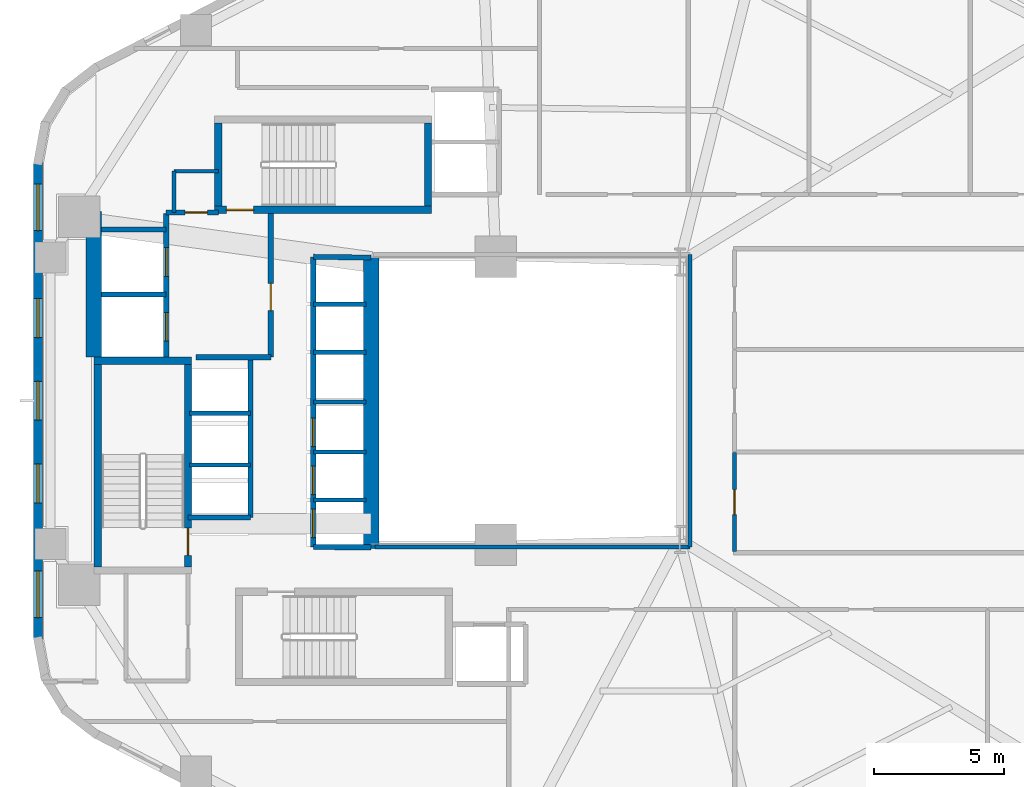
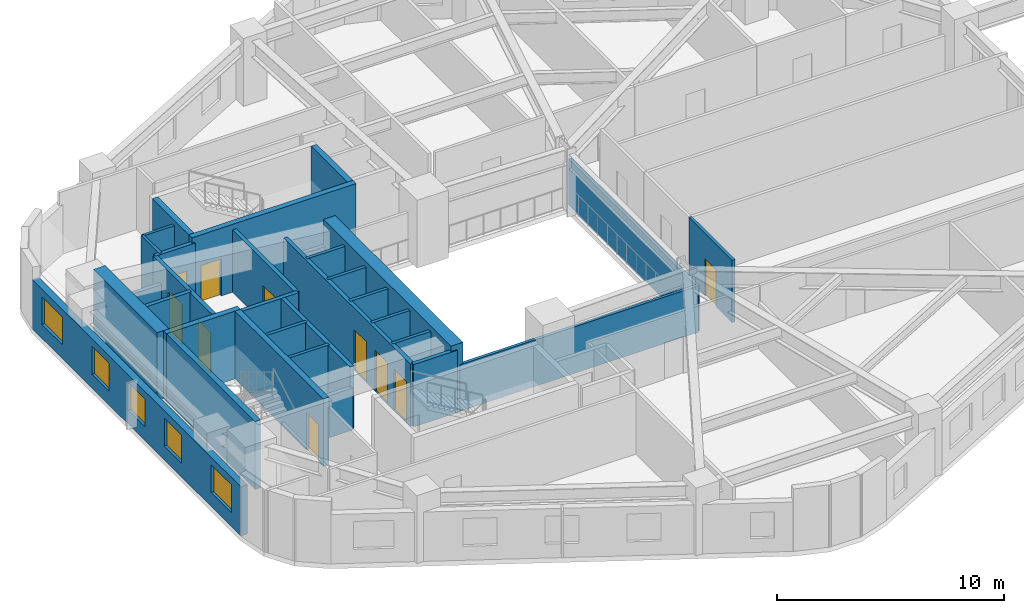
# One storey, part 3 of 7: 32 walls, 10 doors, 5 windows, 15 openings.
"""IFC4 building model written with IfcOpenShell, lengths in metres."""

from ifc_helpers import new_model, si_unit, direction, frame, frame_2d, origin, place, context, subcontext, project, spatial, rectangle, extrude, material, layer, layer_set, type_object, element, fill, save


model = new_model("IFC4")

# Units and contexts
model_context = context("Model", 3, precision=1e-05, world=origin(), true_north=direction((0.0, 1.0)))
body_context = subcontext(model_context, "Body", "Model", "MODEL_VIEW")
ifc_project = project(units=[si_unit("LENGTHUNIT", "METRE"), si_unit("AREAUNIT", "SQUARE_METRE"), si_unit("VOLUMEUNIT", "CUBIC_METRE"), si_unit("PLANEANGLEUNIT", "RADIAN"), si_unit("MASSUNIT", "GRAM", prefix="KILO"), si_unit("THERMODYNAMICTEMPERATUREUNIT", "KELVIN"), si_unit("POWERUNIT", "WATT")], contexts=[model_context])

# Site, building, storey
site_placement = place(None, origin())
site = spatial("IfcSite", under=ifc_project, at=site_placement, CompositionType="ELEMENT")
building_placement = place(site_placement, origin())
building = spatial("IfcBuilding", under=site, at=building_placement, Name="Skarre Station Tower", CompositionType="ELEMENT")
storey_placement = place(building_placement, frame((0.0, 0.0, 48.89990234375)))
storey = spatial("IfcBuildingStorey", under=building, at=storey_placement, Name="L12", CompositionType="ELEMENT", Elevation=48.89990234375)

# Walls
ifc_material_1 = material(Name="Acoustic Steel-Stud Gypsum Partition", Category="steel")
ifc_layer_1 = layer(ifc_material_1, 0.14990234375, Name="Acoustic Steel-Stud Gypsum Partition")
ifc_layer_set_1 = layer_set([ifc_layer_1], Name="Acoustic Steel-Stud Gypsum Partition")
wall_type_1 = type_object("IfcWallType", Name="Fire-Rated Corridor Acoustic Partition 150", PredefinedType="PARTITIONING", material=ifc_layer_set_1)
wall_1_placement = place(storey_placement, frame((19.949951171875, 32.85009765625, 0.0), z_axis=(0.0, 0.0, 1.0), x_axis=(0.0, -1.0, 0.0)))
element("IfcWall", 1, at=wall_1_placement, inside=storey, type_object=wall_type_1, Name="L12 Interior Partition WL-PT-L12-CNW-W", PredefinedType="PARTITIONING", context=body_context, shape_type="SweptSolid", body=[
    extrude(rectangle(XDim=1.590087890625, YDim=0.14990234375, at=frame_2d((0.794921875, 0.0))), origin(), (0.0, 0.0, 1.0), 3.360107421875),
])
wall_2_placement = place(storey_placement, frame((21.659912109375, 32.85009765625, 0.0), z_axis=(0.0, 0.0, 1.0), x_axis=(-1.0, 0.0, 0.0)))
element("IfcWall", 2, at=wall_2_placement, inside=storey, type_object=wall_type_1, Name="L12 Interior Partition WL-PT-L12-CNW-N1", PredefinedType="PARTITIONING", context=body_context, shape_type="SweptSolid", body=[
    extrude(rectangle(XDim=1.7099609375, YDim=0.14990234375, at=frame_2d((0.85498046875, 0.0))), origin(), (0.0, 0.0, 1.0), 3.360107421875),
])
wall_3_placement = place(storey_placement, frame((27.699951171875, 18.360107421875, 0.0), z_axis=(0.0, 0.0, 1.0), x_axis=(1.0, 0.0, 0.0)))
element("IfcWall", 3, at=wall_3_placement, inside=storey, type_object=wall_type_1, Name="L12 Interior Partition WL-PT-L12-ATRW-S", PredefinedType="PARTITIONING", context=body_context, shape_type="SweptSolid", body=[
    extrude(rectangle(XDim=12.14013671875, YDim=0.14990234375, at=frame_2d((6.070068359375, 0.0))), origin(), (0.0, 0.0, 1.0), 2.5009765625),
])
wall_4_placement = place(storey_placement, frame((39.840087890625, 18.360107421875, 0.0), z_axis=(0.0, 0.0, 1.0), x_axis=(0.0, 1.0, 0.0)))
element("IfcWall", 4, at=wall_4_placement, inside=storey, type_object=wall_type_1, Name="L12 Interior Partition WL-PT-L12-ATRW-E", PredefinedType="PARTITIONING", context=body_context, shape_type="SweptSolid", body=[
    extrude(rectangle(XDim=11.27978515625, YDim=0.14990234375, at=frame_2d((5.639892578125, 0.0))), origin(), (0.0, 0.0, 1.0), 2.483154296875),
])

# Wall, opening, door
wall_5_placement = place(storey_placement, frame((41.56005859375, 18.179931640625, 0.0), z_axis=(0.0, 0.0, 1.0), x_axis=(0.0, 1.0, 0.0)))
wall_5 = element("IfcWall", 5, at=wall_5_placement, inside=storey, type_object=wall_type_1, Name="L12 Interior Partition WL-PT-L12-EW1-CW", PredefinedType="PARTITIONING", context=body_context, shape_type="SweptSolid", body=[
    extrude(rectangle(XDim=3.822998046875, YDim=0.14990234375, at=frame_2d((1.91162109375, 0.0))), origin(), (0.0, 0.0, 1.0), 3.360107421875),
])
opening_1_placement = place(wall_5_placement, frame((1.431884765625, 0.0, 0.0)))
opening_1 = element("IfcOpeningElement", 6, at=opening_1_placement, cuts=wall_5, Name="Opening DR-FD60", PredefinedType="OPENING", context=body_context, shape_type="SweptSolid", body=[
    extrude(rectangle(XDim=0.9599609375, YDim=2.0, at=frame_2d((0.47998046875, 1.0))), frame((0.0, 0.0849609375, 0.0), z_axis=(0.0, -1.0, 0.0), x_axis=(1.0, 0.0, 0.0)), (0.0, 0.0, 1.0), 0.169921875),
])
ifc_material_2 = material(Name="Nordic White-Oak Veneer Solid-Core Fire Leaf", Category="wood")
door_type_1 = type_object("IfcDoorType", Name="Corridor Suite Entry Fire Door FD60 960x2150", OperationType="SINGLE_SWING_LEFT", PredefinedType="DOOR", material=ifc_material_2)
door_1_placement = place(opening_1_placement, origin())
door_1 = element("IfcDoor", 7, at=door_1_placement, inside=storey, type_object=door_type_1, Name="L12 EW1 Entry Door", OperationType="SINGLE_SWING_LEFT", OverallHeight=2.0, OverallWidth=0.9599609375, PredefinedType="DOOR", context=body_context, shape_type="SweptSolid", body=[
    extrude(rectangle(XDim=0.9599609375, YDim=2.0, at=frame_2d((0.47998046875, 1.0))), frame((0.0, 0.02490234375, 0.0), z_axis=(0.0, -1.0, 0.0), x_axis=(1.0, 0.0, 0.0)), (0.0, 0.0, 1.0), 0.050048828125),
])
fill(opening_1, door_1)

# Wall, openings, windows
ifc_material_3 = material(Name="Precast concrete C45/55", Category="concrete")
ifc_layer_2 = layer(ifc_material_3, 0.340087890625, Name="Precast concrete C45/55")
ifc_layer_set_2 = layer_set([ifc_layer_2], Name="Precast concrete C45/55")
wall_type_2 = type_object("IfcWallType", Name="Nordic Honed Precast Facet Wall 340", PredefinedType="STANDARD", material=ifc_layer_set_2)
wall_6_placement = place(storey_placement, frame((14.70703125, 14.798095703125, 0.0), z_axis=(0.0, 0.0, 1.0), x_axis=(0.0, 1.0, 0.0)))
wall_6 = element("IfcWall", 8, at=wall_6_placement, inside=storey, type_object=wall_type_2, Name="L12 Facet 2 Nordic Precast Masonry Wall", PredefinedType="STANDARD", context=body_context, shape_type="SweptSolid", body=[
    extrude(rectangle(XDim=18.40380859375, YDim=0.340087890625, at=frame_2d((9.201904296875, 0.0))), origin(), (0.0, 0.0, 1.0), 2.654052734375),
])
opening_2_placement = place(wall_6_placement, frame((0.844970703125, 0.0, 0.75)))
opening_2 = element("IfcOpeningElement", 9, at=opening_2_placement, cuts=wall_6, Name="Opening WN-Z1A", PredefinedType="OPENING", context=body_context, shape_type="SweptSolid", body=[
    extrude(rectangle(XDim=1.800048828125, YDim=1.5, at=frame_2d((0.89990234375, 0.75))), frame((0.0, 0.179931640625, 0.0), z_axis=(0.0, -1.0, 0.0), x_axis=(1.0, 0.0, 0.0)), (0.0, 0.0, 1.0), 0.360107421875),
])
opening_3_placement = place(wall_6_placement, frame((5.264892578125, 0.0, 0.75)))
opening_3 = element("IfcOpeningElement", 10, at=opening_3_placement, cuts=wall_6, Name="Opening WN-Z1B", PredefinedType="OPENING", context=body_context, shape_type="SweptSolid", body=[
    extrude(rectangle(XDim=1.5, YDim=1.5, at=frame_2d((0.75, 0.75))), frame((0.0, 0.179931640625, 0.0), z_axis=(0.0, -1.0, 0.0), x_axis=(1.0, 0.0, 0.0)), (0.0, 0.0, 1.0), 0.360107421875),
])
opening_4_placement = place(wall_6_placement, frame((8.451904296875, 0.0, 0.75)))
opening_4 = element("IfcOpeningElement", 11, at=opening_4_placement, cuts=wall_6, Name="Opening WN-Z1B", PredefinedType="OPENING", context=body_context, shape_type="SweptSolid", body=[
    extrude(rectangle(XDim=1.5, YDim=1.5, at=frame_2d((0.75, 0.75))), frame((0.0, 0.179931640625, 0.0), z_axis=(0.0, -1.0, 0.0), x_axis=(1.0, 0.0, 0.0)), (0.0, 0.0, 1.0), 0.360107421875),
])
opening_5_placement = place(wall_6_placement, frame((11.638916015625, 0.0, 0.75)))
opening_5 = element("IfcOpeningElement", 12, at=opening_5_placement, cuts=wall_6, Name="Opening WN-Z1B", PredefinedType="OPENING", context=body_context, shape_type="SweptSolid", body=[
    extrude(rectangle(XDim=1.5, YDim=1.5, at=frame_2d((0.75, 0.75))), frame((0.0, 0.179931640625, 0.0), z_axis=(0.0, -1.0, 0.0), x_axis=(1.0, 0.0, 0.0)), (0.0, 0.0, 1.0), 0.360107421875),
])
opening_6_placement = place(wall_6_placement, frame((15.758056640625, 0.0, 0.75)))
opening_6 = element("IfcOpeningElement", 13, at=opening_6_placement, cuts=wall_6, Name="Opening WN-Z1A", PredefinedType="OPENING", context=body_context, shape_type="SweptSolid", body=[
    extrude(rectangle(XDim=1.800048828125, YDim=1.5, at=frame_2d((0.89990234375, 0.75))), frame((0.0, 0.179931640625, 0.0), z_axis=(0.0, -1.0, 0.0), x_axis=(1.0, 0.0, 0.0)), (0.0, 0.0, 1.0), 0.360107421875),
])
ifc_material_4 = material(Name="Low-Iron Triple Glazing with Bronze Anodized Frame", Category="glass")
window_type_1 = type_object("IfcWindowType", Name="Nordic Punched Triple-Glazed Window 1500x1500", PartitioningType="SINGLE_PANEL", PredefinedType="WINDOW", material=ifc_material_4)
window_1_placement = place(opening_3_placement, origin())
window_1 = element("IfcWindow", 14, at=window_1_placement, inside=storey, type_object=window_type_1, Name="L12 Facade Window WL-FAC-L12-F2-2", OverallHeight=1.5, OverallWidth=1.5, PartitioningType="SINGLE_PANEL", PredefinedType="WINDOW", context=body_context, shape_type="SweptSolid", body=[
    extrude(rectangle(XDim=1.5, YDim=1.5, at=frame_2d((0.75, 0.75))), frame((0.0, 0.030029296875, 0.0), z_axis=(0.0, -1.0, 0.0), x_axis=(1.0, 0.0, 0.0)), (0.0, 0.0, 1.0), 0.06005859375),
])
fill(opening_3, window_1)
window_2_placement = place(opening_4_placement, origin())
window_2 = element("IfcWindow", 15, at=window_2_placement, inside=storey, type_object=window_type_1, Name="L12 Facade Window WL-FAC-L12-F2-3", OverallHeight=1.5, OverallWidth=1.5, PartitioningType="SINGLE_PANEL", PredefinedType="WINDOW", context=body_context, shape_type="SweptSolid", body=[
    extrude(rectangle(XDim=1.5, YDim=1.5, at=frame_2d((0.75, 0.75))), frame((0.0, 0.030029296875, 0.0), z_axis=(0.0, -1.0, 0.0), x_axis=(1.0, 0.0, 0.0)), (0.0, 0.0, 1.0), 0.06005859375),
])
fill(opening_4, window_2)
window_3_placement = place(opening_5_placement, origin())
window_3 = element("IfcWindow", 16, at=window_3_placement, inside=storey, type_object=window_type_1, Name="L12 Facade Window WL-FAC-L12-F2-4", OverallHeight=1.5, OverallWidth=1.5, PartitioningType="SINGLE_PANEL", PredefinedType="WINDOW", context=body_context, shape_type="SweptSolid", body=[
    extrude(rectangle(XDim=1.5, YDim=1.5, at=frame_2d((0.75, 0.75))), frame((0.0, 0.030029296875, 0.0), z_axis=(0.0, -1.0, 0.0), x_axis=(1.0, 0.0, 0.0)), (0.0, 0.0, 1.0), 0.06005859375),
])
fill(opening_5, window_3)
window_type_2 = type_object("IfcWindowType", Name="Nordic Punched Triple-Glazed Window 1800x1500", PartitioningType="SINGLE_PANEL", PredefinedType="WINDOW", material=ifc_material_4)
window_4_placement = place(opening_2_placement, origin())
window_4 = element("IfcWindow", 17, at=window_4_placement, inside=storey, type_object=window_type_2, Name="L12 Facade Window WL-FAC-L12-F2-1", OverallHeight=1.5, OverallWidth=1.800048828125, PartitioningType="SINGLE_PANEL", PredefinedType="WINDOW", context=body_context, shape_type="SweptSolid", body=[
    extrude(rectangle(XDim=1.800048828125, YDim=1.5, at=frame_2d((0.89990234375, 0.75))), frame((0.0, 0.030029296875, 0.0), z_axis=(0.0, -1.0, 0.0), x_axis=(1.0, 0.0, 0.0)), (0.0, 0.0, 1.0), 0.06005859375),
])
fill(opening_2, window_4)
window_5_placement = place(opening_6_placement, origin())
window_5 = element("IfcWindow", 18, at=window_5_placement, inside=storey, type_object=window_type_2, Name="L12 Facade Window WL-FAC-L12-F2-5", OverallHeight=1.5, OverallWidth=1.800048828125, PartitioningType="SINGLE_PANEL", PredefinedType="WINDOW", context=body_context, shape_type="SweptSolid", body=[
    extrude(rectangle(XDim=1.800048828125, YDim=1.5, at=frame_2d((0.89990234375, 0.75))), frame((0.0, 0.030029296875, 0.0), z_axis=(0.0, -1.0, 0.0), x_axis=(1.0, 0.0, 0.0)), (0.0, 0.0, 1.0), 0.06005859375),
])
fill(opening_6, window_5)

# Walls
ifc_material_5 = material(Name="Concrete C50/60", Category="concrete")
ifc_layer_3 = layer(ifc_material_5, 0.280029296875, Name="Concrete C50/60")
ifc_layer_set_3 = layer_set([ifc_layer_3], Name="Concrete C50/60")
wall_type_3 = type_object("IfcWallType", Name="RC Core Shear Wall 280", PredefinedType="SHEAR", material=ifc_layer_set_3)
wall_7_placement = place(storey_placement, frame((20.6298828125, 25.5400390625, 0.0), z_axis=(0.0, 0.0, 1.0), x_axis=(-1.0, 0.0, 0.0)))
element("IfcWall", 19, at=wall_7_placement, inside=storey, type_object=wall_type_3, Name="L12 Stair ST-1 North Shear Wall", PredefinedType="SHEAR", context=body_context, shape_type="SweptSolid", body=[
    extrude(rectangle(XDim=3.759765625, YDim=0.280029296875, at=frame_2d((1.8798828125, 0.0))), origin(), (0.0, 0.0, 1.0), 3.650146484375),
])
wall_8_placement = place(storey_placement, frame((17.010009765625, 25.39990234375, 0.0), z_axis=(0.0, 0.0, 1.0), x_axis=(0.0, -1.0, 0.0)))
element("IfcWall", 20, at=wall_8_placement, inside=storey, type_object=wall_type_3, Name="L12 Stair ST-1 West Shear Wall", PredefinedType="SHEAR", context=body_context, shape_type="SweptSolid", body=[
    extrude(rectangle(XDim=7.7998046875, YDim=0.280029296875, at=frame_2d((3.89990234375, 0.0))), origin(), (0.0, 0.0, 1.0), 3.650146484375),
])

# Wall, opening, door
wall_9_placement = place(storey_placement, frame((20.489990234375, 17.60009765625, 0.0), z_axis=(0.0, 0.0, 1.0), x_axis=(0.0, 1.0, 0.0)))
wall_9 = element("IfcWall", 21, at=wall_9_placement, inside=storey, type_object=wall_type_3, Name="L12 Stair ST-1 East Shear Wall", PredefinedType="SHEAR", context=body_context, shape_type="SweptSolid", body=[
    extrude(rectangle(XDim=7.7998046875, YDim=0.280029296875, at=frame_2d((3.89990234375, 0.0))), origin(), (0.0, 0.0, 1.0), 3.650146484375),
])
opening_7_placement = place(wall_9_placement, frame((0.43994140625, 0.0, 0.0)))
opening_7 = element("IfcOpeningElement", 22, at=opening_7_placement, cuts=wall_9, Name="Opening DR-FD90", PredefinedType="OPENING", context=body_context, shape_type="SweptSolid", body=[
    extrude(rectangle(XDim=1.050048828125, YDim=2.0, at=frame_2d((0.52490234375, 1.0))), frame((0.0, 0.14990234375, 0.0), z_axis=(0.0, -1.0, 0.0), x_axis=(1.0, 0.0, 0.0)), (0.0, 0.0, 1.0), 0.300048828125),
])
ifc_material_6 = material(Name="Fire-Rated Insulated Steel Frame & Timber Core Leaf", Category="steel")
door_type_2 = type_object("IfcDoorType", Name="Stair & FSAE Lobby Fire Door FD90 1050x2150", OperationType="SINGLE_SWING_RIGHT", PredefinedType="DOOR", material=ifc_material_6)
door_2_placement = place(opening_7_placement, origin())
door_2 = element("IfcDoor", 23, at=door_2_placement, inside=storey, type_object=door_type_2, Name="L12 Stair ST-1 Exit Door", OperationType="SINGLE_SWING_RIGHT", OverallHeight=2.0, OverallWidth=1.050048828125, PredefinedType="DOOR", context=body_context, shape_type="SweptSolid", body=[
    extrude(rectangle(XDim=1.050048828125, YDim=2.0, at=frame_2d((0.52490234375, 1.0))), frame((0.0, 0.02490234375, 0.0), z_axis=(0.0, -1.0, 0.0), x_axis=(1.0, 0.0, 0.0)), (0.0, 0.0, 1.0), 0.050048828125),
])
fill(opening_7, door_2)

wall_10_placement = place(storey_placement, frame((21.52001953125, 31.360107421875, 0.0), z_axis=(0.0, 0.0, 1.0), x_axis=(1.0, 0.0, 0.0)))
wall_10 = element("IfcWall", 24, at=wall_10_placement, inside=storey, type_object=wall_type_3, Name="L12 Stair ST-3 South Shear Wall", PredefinedType="SHEAR", context=body_context, shape_type="SweptSolid", body=[
    extrude(rectangle(XDim=8.35986328125, YDim=0.280029296875, at=frame_2d((4.179931640625, 0.0))), origin(), (0.0, 0.0, 1.0), 3.650146484375),
])
opening_8_placement = place(wall_10_placement, frame((0.449951171875, 0.0, 0.0)))
opening_8 = element("IfcOpeningElement", 25, at=opening_8_placement, cuts=wall_10, Name="Opening DR-FD90", PredefinedType="OPENING", context=body_context, shape_type="SweptSolid", body=[
    extrude(rectangle(XDim=1.050048828125, YDim=2.0, at=frame_2d((0.52490234375, 1.0))), frame((0.0, 0.14990234375, 0.0), z_axis=(0.0, -1.0, 0.0), x_axis=(1.0, 0.0, 0.0)), (0.0, 0.0, 1.0), 0.300048828125),
])
door_3_placement = place(opening_8_placement, origin())
door_3 = element("IfcDoor", 26, at=door_3_placement, inside=storey, type_object=door_type_2, Name="L12 Stair ST-3 & FSAE Lobby Direct Exit Door", OperationType="SINGLE_SWING_LEFT", OverallHeight=2.0, OverallWidth=1.050048828125, PredefinedType="DOOR", context=body_context, shape_type="SweptSolid", body=[
    extrude(rectangle(XDim=1.050048828125, YDim=2.0, at=frame_2d((0.52490234375, 1.0))), frame((0.0, 0.02490234375, 0.0), z_axis=(0.0, -1.0, 0.0), x_axis=(1.0, 0.0, 0.0)), (0.0, 0.0, 1.0), 0.050048828125),
])
fill(opening_8, door_3)

# Walls
for number, where, z_axis, x_axis, name in (
    (27, (21.659912109375, 34.699951171875, 0.0), (0.0, 0.0, 1.0), (0.0, -1.0, 0.0), "L12 Stair ST-3 West Shear Wall"),
    (28, (29.739990234375, 31.5, 0.0), (0.0, 0.0, 1.0), (0.0, 1.0, 0.0), "L12 Stair ST-3 East Shear Wall"),
):
    element("IfcWall", number, at=place(storey_placement, frame(where, z_axis=z_axis, x_axis=x_axis)), inside=storey, type_object=wall_type_3, Name=name, PredefinedType="SHEAR", context=body_context, shape_type="SweptSolid", body=[
        extrude(rectangle(XDim=3.199951171875, YDim=0.280029296875, at=frame_2d((1.60009765625, 0.0))), origin(), (0.0, 0.0, 1.0), 3.650146484375),
    ])
ifc_material_7 = material(Name="Concrete C70/85", Category="concrete")
ifc_layer_4 = layer(ifc_material_7, 0.60009765625, Name="Concrete C70/85")
ifc_layer_set_4 = layer_set([ifc_layer_4], Name="Concrete C70/85")
wall_type_4 = type_object("IfcWallType", Name="RC Core Shear Wall 600", PredefinedType="SHEAR", material=ifc_layer_set_4)
wall_11_placement = place(storey_placement, frame((16.85009765625, 25.679931640625, 0.0), z_axis=(0.0, 0.0, 1.0), x_axis=(0.0, 1.0, 0.0)))
element("IfcWall", 29, at=wall_11_placement, inside=storey, type_object=wall_type_4, Name="L12 Core West-North Shear Wall", PredefinedType="SHEAR", context=body_context, shape_type="SweptSolid", body=[
    extrude(rectangle(XDim=5.6201171875, YDim=0.60009765625, at=frame_2d((2.81005859375, 0.0))), origin(), (0.0, 0.0, 1.0), 3.650146484375),
])
wall_12_placement = place(storey_placement, frame((27.550048828125, 29.550048828125, 0.0), z_axis=(0.0, 0.0, 1.0), x_axis=(0.0, -1.0, 0.0)))
element("IfcWall", 30, at=wall_12_placement, inside=storey, type_object=wall_type_4, Name="L12 Core East Atrium Shear Wall", PredefinedType="SHEAR", context=body_context, shape_type="SweptSolid", body=[
    extrude(rectangle(XDim=11.25, YDim=0.60009765625, at=frame_2d((5.625, 0.0))), origin(), (0.0, 0.0, 1.0), 3.650146484375),
])

# Wall, openings, doors
ifc_material_8 = material(Name="Gypsum Concrete Shaft Assembly C30/37", Category="concrete")
ifc_layer_5 = layer(ifc_material_8, 0.199951171875, Name="Gypsum Concrete Shaft Assembly C30/37")
ifc_layer_set_5 = layer_set([ifc_layer_5], Name="Gypsum Concrete Shaft Assembly C30/37")
wall_type_5 = type_object("IfcWallType", Name="Shaft & Core Fire Partition 200", PredefinedType="PARTITIONING", material=ifc_layer_set_5)
wall_13_placement = place(storey_placement, frame((19.64990234375, 25.679931640625, 0.0), z_axis=(0.0, 0.0, 1.0), x_axis=(0.0, 1.0, 0.0)))
wall_13 = element("IfcWall", 31, at=wall_13_placement, inside=storey, type_object=wall_type_5, Name="L12 Interior Partition WL-PT-L12-FSAE-W", PredefinedType="PARTITIONING", context=body_context, shape_type="SweptSolid", body=[
    extrude(rectangle(XDim=5.5400390625, YDim=0.199951171875, at=frame_2d((2.77001953125, 0.0))), origin(), (0.0, 0.0, 1.0), 3.360107421875),
])
opening_9_placement = place(wall_13_placement, frame((0.6201171875, 0.0, 0.0)))
opening_9 = element("IfcOpeningElement", 32, at=opening_9_placement, cuts=wall_13, Name="Opening LD-FF1", PredefinedType="OPENING", context=body_context, shape_type="SweptSolid", body=[
    extrude(rectangle(XDim=1.10009765625, YDim=2.199951171875, at=frame_2d((0.550048828125, 1.10009765625))), frame((0.0, 0.10986328125, 0.0), z_axis=(0.0, -1.0, 0.0), x_axis=(1.0, 0.0, 0.0)), (0.0, 0.0, 1.0), 0.219970703125),
])
opening_10_placement = place(wall_13_placement, frame((3.1201171875, 0.0, 0.0)))
opening_10 = element("IfcOpeningElement", 33, at=opening_10_placement, cuts=wall_13, Name="Opening LD-FF2", PredefinedType="OPENING", context=body_context, shape_type="SweptSolid", body=[
    extrude(rectangle(XDim=1.10009765625, YDim=2.199951171875, at=frame_2d((0.550048828125, 1.10009765625))), frame((0.0, 0.10986328125, 0.0), z_axis=(0.0, -1.0, 0.0), x_axis=(1.0, 0.0, 0.0)), (0.0, 0.0, 1.0), 0.219970703125),
])
ifc_material_9 = material(Name="Fire-Rated Stainless Steel Grade 316L Sliding Leaves", Category="steel")
door_type_3 = type_object("IfcDoorType", Name="Fire Service Access Elevator Sliding Landing Door 1100x2200", OperationType="SLIDING_TO_LEFT", PredefinedType="DOOR", material=ifc_material_9)
door_4_placement = place(opening_9_placement, origin())
door_4 = element("IfcDoor", 34, at=door_4_placement, inside=storey, type_object=door_type_3, Name="L12 Firefighting Lift LF-FF1 Landing Door", OperationType="SLIDING_TO_LEFT", OverallHeight=2.199951171875, OverallWidth=1.10009765625, PredefinedType="DOOR", context=body_context, shape_type="SweptSolid", body=[
    extrude(rectangle(XDim=1.10009765625, YDim=2.199951171875, at=frame_2d((0.550048828125, 1.10009765625))), frame((0.0, 0.02490234375, 0.0), z_axis=(0.0, -1.0, 0.0), x_axis=(1.0, 0.0, 0.0)), (0.0, 0.0, 1.0), 0.050048828125),
])
fill(opening_9, door_4)
door_5_placement = place(opening_10_placement, origin())
door_5 = element("IfcDoor", 35, at=door_5_placement, inside=storey, type_object=door_type_3, Name="L12 Firefighting Lift LF-FF2 Landing Door", OperationType="SLIDING_TO_LEFT", OverallHeight=2.199951171875, OverallWidth=1.10009765625, PredefinedType="DOOR", context=body_context, shape_type="SweptSolid", body=[
    extrude(rectangle(XDim=1.10009765625, YDim=2.199951171875, at=frame_2d((0.550048828125, 1.10009765625))), frame((0.0, 0.02490234375, 0.0), z_axis=(0.0, -1.0, 0.0), x_axis=(1.0, 0.0, 0.0)), (0.0, 0.0, 1.0), 0.050048828125),
])
fill(opening_10, door_5)

# Wall
wall_14_placement = place(storey_placement, frame((20.79296875, 25.679931640625, 0.0), z_axis=(0.0, 0.0, 1.0), x_axis=(1.0, 0.0, 0.0)))
element("IfcWall", 36, at=wall_14_placement, inside=storey, type_object=wall_type_5, Name="L12 Interior Partition WL-PT-L12-FSAE-S", PredefinedType="PARTITIONING", context=body_context, shape_type="SweptSolid", body=[
    extrude(rectangle(XDim=2.886962890625, YDim=0.199951171875, at=frame_2d((1.443359375, 0.0))), origin(), (0.0, 0.0, 1.0), 3.360107421875),
])

# Wall, opening, door
wall_15_placement = place(storey_placement, frame((23.679931640625, 25.679931640625, 0.0), z_axis=(0.0, 0.0, 1.0), x_axis=(0.0, 1.0, 0.0)))
wall_15 = element("IfcWall", 37, at=wall_15_placement, inside=storey, type_object=wall_type_5, Name="L12 Interior Partition WL-PT-L12-FSAE-E", PredefinedType="PARTITIONING", context=body_context, shape_type="SweptSolid", body=[
    extrude(rectangle(XDim=5.5400390625, YDim=0.199951171875, at=frame_2d((2.77001953125, 0.0))), origin(), (0.0, 0.0, 1.0), 3.360107421875),
])
opening_11_placement = place(wall_15_placement, frame((1.800048828125, 0.0, 0.0)))
opening_11 = element("IfcOpeningElement", 38, at=opening_11_placement, cuts=wall_15, Name="Opening DR-FD90", PredefinedType="OPENING", context=body_context, shape_type="SweptSolid", body=[
    extrude(rectangle(XDim=1.050048828125, YDim=2.0, at=frame_2d((0.52490234375, 1.0))), frame((0.0, 0.10986328125, 0.0), z_axis=(0.0, -1.0, 0.0), x_axis=(1.0, 0.0, 0.0)), (0.0, 0.0, 1.0), 0.219970703125),
])
door_6_placement = place(opening_11_placement, origin())
door_6 = element("IfcDoor", 39, at=door_6_placement, inside=storey, type_object=door_type_2, Name="L12 FSAE Lobby Fire Door", OperationType="SINGLE_SWING_RIGHT", OverallHeight=2.0, OverallWidth=1.050048828125, PredefinedType="DOOR", context=body_context, shape_type="SweptSolid", body=[
    extrude(rectangle(XDim=1.050048828125, YDim=2.0, at=frame_2d((0.52490234375, 1.0))), frame((0.0, 0.02490234375, 0.0), z_axis=(0.0, -1.0, 0.0), x_axis=(1.0, 0.0, 0.0)), (0.0, 0.0, 1.0), 0.050048828125),
])
fill(opening_11, door_6)

wall_16_placement = place(storey_placement, frame((21.659912109375, 31.260009765625, 0.0), z_axis=(0.0, 0.0, 1.0), x_axis=(-1.0, 0.0, 0.0)))
wall_16 = element("IfcWall", 40, at=wall_16_placement, inside=storey, type_object=wall_type_5, Name="L12 Interior Partition WL-PT-L12-FSAE-N", PredefinedType="PARTITIONING", context=body_context, shape_type="SweptSolid", body=[
    extrude(rectangle(XDim=2.010009765625, YDim=0.199951171875, at=frame_2d((1.0048828125, 0.0))), origin(), (0.0, 0.0, 1.0), 3.360107421875),
])
opening_12_placement = place(wall_16_placement, frame((0.419921875, 0.0, 0.0)))
opening_12 = element("IfcOpeningElement", 41, at=opening_12_placement, cuts=wall_16, Name="Opening DR-SVC86", PredefinedType="OPENING", context=body_context, shape_type="SweptSolid", body=[
    extrude(rectangle(XDim=0.860107421875, YDim=2.0, at=frame_2d((0.43017578125, 1.0))), frame((0.0, 0.10986328125, 0.0), z_axis=(0.0, -1.0, 0.0), x_axis=(1.0, 0.0, 0.0)), (0.0, 0.0, 1.0), 0.219970703125),
])
ifc_material_10 = material(Name="Powder-Coated Hollow-Metal Acoustic Fire Leaf", Category="steel")
door_type_4 = type_object("IfcDoorType", Name="Compact Riser Fire Door FD60 860x2100", OperationType="SINGLE_SWING_LEFT", PredefinedType="DOOR", material=ifc_material_10)
door_7_placement = place(opening_12_placement, origin())
door_7 = element("IfcDoor", 42, at=door_7_placement, inside=storey, type_object=door_type_4, Name="L12 Core Service Room Lobby Door", OperationType="SINGLE_SWING_LEFT", OverallHeight=2.0, OverallWidth=0.860107421875, PredefinedType="DOOR", context=body_context, shape_type="SweptSolid", body=[
    extrude(rectangle(XDim=0.860107421875, YDim=2.0, at=frame_2d((0.43017578125, 1.0))), frame((0.0, 0.02490234375, 0.0), z_axis=(0.0, -1.0, 0.0), x_axis=(1.0, 0.0, 0.0)), (0.0, 0.0, 1.0), 0.050048828125),
])
fill(opening_12, door_7)

# Walls
wall_17_placement = place(storey_placement, frame((17.14990234375, 28.10009765625, 0.0), z_axis=(0.0, 0.0, 1.0), x_axis=(1.0, 0.0, 0.0)))
element("IfcWall", 43, at=wall_17_placement, inside=storey, type_object=wall_type_5, Name="L12 Interior Partition WL-PT-L12-FF-DIV", PredefinedType="PARTITIONING", context=body_context, shape_type="SweptSolid", body=[
    extrude(rectangle(XDim=2.5, YDim=0.199951171875, at=frame_2d((1.25, 0.0))), origin(), (0.0, 0.0, 1.0), 3.360107421875),
])
wall_18_placement = place(storey_placement, frame((19.64990234375, 30.60009765625, 0.0), z_axis=(0.0, 0.0, 1.0), x_axis=(-1.0, 0.0, 0.0)))
element("IfcWall", 44, at=wall_18_placement, inside=storey, type_object=wall_type_5, Name="L12 Interior Partition WL-PT-L12-FF-N", PredefinedType="PARTITIONING", context=body_context, shape_type="SweptSolid", body=[
    extrude(rectangle(XDim=2.5, YDim=0.199951171875, at=frame_2d((1.25, 0.0))), origin(), (0.0, 0.0, 1.0), 2.260009765625),
])
wall_19_placement = place(storey_placement, frame((22.89990234375, 19.5, 0.0), z_axis=(0.0, 0.0, 1.0), x_axis=(0.0, 1.0, 0.0)))
element("IfcWall", 45, at=wall_19_placement, inside=storey, type_object=wall_type_5, Name="L12 Interior Partition WL-PT-L12-B3-E", PredefinedType="PARTITIONING", context=body_context, shape_type="SweptSolid", body=[
    extrude(rectangle(XDim=6.0849609375, YDim=0.199951171875, at=frame_2d((3.04248046875, 0.0))), origin(), (0.0, 0.0, 1.0), 3.360107421875),
])
wall_20_placement = place(storey_placement, frame((20.489990234375, 19.5, 0.0), z_axis=(0.0, 0.0, 1.0), x_axis=(1.0, 0.0, 0.0)))
element("IfcWall", 46, at=wall_20_placement, inside=storey, type_object=wall_type_5, Name="L12 Interior Partition WL-PT-L12-B3-S", PredefinedType="PARTITIONING", context=body_context, shape_type="SweptSolid", body=[
    extrude(rectangle(XDim=2.409912109375, YDim=0.199951171875, at=frame_2d((1.205078125, 0.0))), origin(), (0.0, 0.0, 1.0), 2.260009765625),
])
for number, where, z_axis, x_axis, name in (
    (47, (20.550048828125, 21.52001953125, 0.0), (0.0, 0.0, 1.0), (1.0, 0.0, 0.0), "L12 Interior Partition WL-PT-L12-B3-D1"),
    (48, (20.550048828125, 23.52001953125, 0.0), (0.0, 0.0, 1.0), (1.0, 0.0, 0.0), "L12 Interior Partition WL-PT-L12-B3-D2"),
):
    element("IfcWall", number, at=place(storey_placement, frame(where, z_axis=z_axis, x_axis=x_axis)), inside=storey, type_object=wall_type_5, Name=name, PredefinedType="PARTITIONING", context=body_context, shape_type="SweptSolid", body=[
        extrude(rectangle(XDim=2.349853515625, YDim=0.159912109375, at=frame_2d((1.1748046875, 0.0))), origin(), (0.0, 0.0, 1.0), 3.360107421875),
    ])

# Wall, openings, doors
wall_21_placement = place(storey_placement, frame((25.320068359375, 29.550048828125, 0.0), z_axis=(0.0, 0.0, 1.0), x_axis=(0.0, -1.0, 0.0)))
wall_21 = element("IfcWall", 49, at=wall_21_placement, inside=storey, type_object=wall_type_5, Name="L12 Interior Partition WL-PT-L12-B12-W", PredefinedType="PARTITIONING", context=body_context, shape_type="SweptSolid", body=[
    extrude(rectangle(XDim=11.18994140625, YDim=0.199951171875, at=frame_2d((5.594970703125, 0.0))), origin(), (0.0, 0.0, 1.0), 3.360107421875),
])
opening_13_placement = place(wall_21_placement, frame((6.219970703125, 0.0, 0.0)))
opening_13 = element("IfcOpeningElement", 50, at=opening_13_placement, cuts=wall_21, Name="Opening LD-P3", PredefinedType="OPENING", context=body_context, shape_type="SweptSolid", body=[
    extrude(rectangle(XDim=1.10009765625, YDim=2.199951171875, at=frame_2d((0.550048828125, 1.10009765625))), frame((0.0, 0.10986328125, 0.0), z_axis=(0.0, -1.0, 0.0), x_axis=(1.0, 0.0, 0.0)), (0.0, 0.0, 1.0), 0.219970703125),
])
opening_14_placement = place(wall_21_placement, frame((8.070068359375, 0.0, 0.0)))
opening_14 = element("IfcOpeningElement", 51, at=opening_14_placement, cuts=wall_21, Name="Opening LD-P2", PredefinedType="OPENING", context=body_context, shape_type="SweptSolid", body=[
    extrude(rectangle(XDim=1.10009765625, YDim=2.199951171875, at=frame_2d((0.550048828125, 1.10009765625))), frame((0.0, 0.10986328125, 0.0), z_axis=(0.0, -1.0, 0.0), x_axis=(1.0, 0.0, 0.0)), (0.0, 0.0, 1.0), 0.219970703125),
])
opening_15_placement = place(wall_21_placement, frame((9.72998046875, 0.0, 0.0)))
opening_15 = element("IfcOpeningElement", 52, at=opening_15_placement, cuts=wall_21, Name="Opening LD-P1", PredefinedType="OPENING", context=body_context, shape_type="SweptSolid", body=[
    extrude(rectangle(XDim=1.10009765625, YDim=2.199951171875, at=frame_2d((0.550048828125, 1.10009765625))), frame((0.0, 0.10986328125, 0.0), z_axis=(0.0, -1.0, 0.0), x_axis=(1.0, 0.0, 0.0)), (0.0, 0.0, 1.0), 0.219970703125),
])
ifc_material_11 = material(Name="Brushed Bronze Stainless Steel Sliding Leaves", Category="steel")
door_type_5 = type_object("IfcDoorType", Name="Passenger Elevator Center-Parting Sliding Door 1100x2200", OperationType="SLIDING_TO_LEFT", PredefinedType="DOOR", material=ifc_material_11)
door_8_placement = place(opening_13_placement, origin())
door_8 = element("IfcDoor", 53, at=door_8_placement, inside=storey, type_object=door_type_5, Name="L12 Passenger Lift LF-P3 Landing Door", OperationType="SLIDING_TO_LEFT", OverallHeight=2.199951171875, OverallWidth=1.10009765625, PredefinedType="DOOR", context=body_context, shape_type="SweptSolid", body=[
    extrude(rectangle(XDim=1.10009765625, YDim=2.199951171875, at=frame_2d((0.550048828125, 1.10009765625))), frame((0.0, 0.02490234375, 0.0), z_axis=(0.0, -1.0, 0.0), x_axis=(1.0, 0.0, 0.0)), (0.0, 0.0, 1.0), 0.050048828125),
])
fill(opening_13, door_8)
door_9_placement = place(opening_14_placement, origin())
door_9 = element("IfcDoor", 54, at=door_9_placement, inside=storey, type_object=door_type_5, Name="L12 Passenger Lift LF-P2 Landing Door", OperationType="SLIDING_TO_LEFT", OverallHeight=2.199951171875, OverallWidth=1.10009765625, PredefinedType="DOOR", context=body_context, shape_type="SweptSolid", body=[
    extrude(rectangle(XDim=1.10009765625, YDim=2.199951171875, at=frame_2d((0.550048828125, 1.10009765625))), frame((0.0, 0.02490234375, 0.0), z_axis=(0.0, -1.0, 0.0), x_axis=(1.0, 0.0, 0.0)), (0.0, 0.0, 1.0), 0.050048828125),
])
fill(opening_14, door_9)
door_10_placement = place(opening_15_placement, origin())
door_10 = element("IfcDoor", 55, at=door_10_placement, inside=storey, type_object=door_type_5, Name="L12 Passenger Lift LF-P1 Landing Door", OperationType="SLIDING_TO_LEFT", OverallHeight=2.199951171875, OverallWidth=1.10009765625, PredefinedType="DOOR", context=body_context, shape_type="SweptSolid", body=[
    extrude(rectangle(XDim=1.10009765625, YDim=2.199951171875, at=frame_2d((0.550048828125, 1.10009765625))), frame((0.0, 0.02490234375, 0.0), z_axis=(0.0, -1.0, 0.0), x_axis=(1.0, 0.0, 0.0)), (0.0, 0.0, 1.0), 0.050048828125),
])
fill(opening_15, door_10)

# Walls
wall_22_placement = place(storey_placement, frame((25.320068359375, 18.360107421875, 0.0), z_axis=(0.0, 0.0, 1.0), x_axis=(0.999989925833, -0.004488678231, 0.0)))
element("IfcWall", 56, at=wall_22_placement, inside=storey, type_object=wall_type_5, Name="L12 Interior Partition WL-PT-L12-B12-S", PredefinedType="PARTITIONING", context=body_context, shape_type="SweptSolid", body=[
    extrude(rectangle(XDim=2.22998046875, YDim=0.199951171875, at=frame_2d((1.114990234375, 0.0))), origin(), (0.0, 0.0, 1.0), 3.360107421875),
])
wall_23_placement = place(storey_placement, frame((27.550048828125, 29.52001953125, 0.0), z_axis=(0.0, 0.0, 1.0), x_axis=(-0.999909343457, 0.013464949556, 0.0)))
element("IfcWall", 57, at=wall_23_placement, inside=storey, type_object=wall_type_5, Name="L12 Interior Partition WL-PT-L12-B12-N", PredefinedType="PARTITIONING", context=body_context, shape_type="SweptSolid", body=[
    extrude(rectangle(XDim=2.230224609375, YDim=0.199951171875, at=frame_2d((1.115234375, 0.0))), origin(), (0.0, 0.0, 1.0), 2.260009765625),
])
for number, where, z_axis, x_axis, name in (
    (58, (25.320068359375, 20.169921875, 0.0), (0.0, 0.0, 1.0), (1.0, 0.0, 0.0), "L12 Interior Partition WL-PT-L12-B12-D201"),
    (59, (25.320068359375, 22.02001953125, 0.0), (0.0, 0.0, 1.0), (1.0, 0.0, 0.0), "L12 Interior Partition WL-PT-L12-B12-D220"),
    (60, (25.320068359375, 23.949951171875, 0.0), (0.0, 0.0, 1.0), (1.0, 0.0, 0.0), "L12 Interior Partition WL-PT-L12-B12-D239"),
    (61, (25.320068359375, 25.8701171875, 0.0), (0.0, 0.0, 1.0), (1.0, 0.0, 0.0), "L12 Interior Partition WL-PT-L12-B12-D258"),
    (62, (25.320068359375, 27.719970703125, 0.0), (0.0, 0.0, 1.0), (1.0, 0.0, 0.0), "L12 Interior Partition WL-PT-L12-B12-D277"),
):
    element("IfcWall", number, at=place(storey_placement, frame(where, z_axis=z_axis, x_axis=x_axis)), inside=storey, type_object=wall_type_5, Name=name, PredefinedType="PARTITIONING", context=body_context, shape_type="SweptSolid", body=[
        extrude(rectangle(XDim=2.030029296875, YDim=0.159912109375, at=frame_2d((1.01513671875, 0.0))), origin(), (0.0, 0.0, 1.0), 3.360107421875),
    ])

save(model, "model.ifc")
